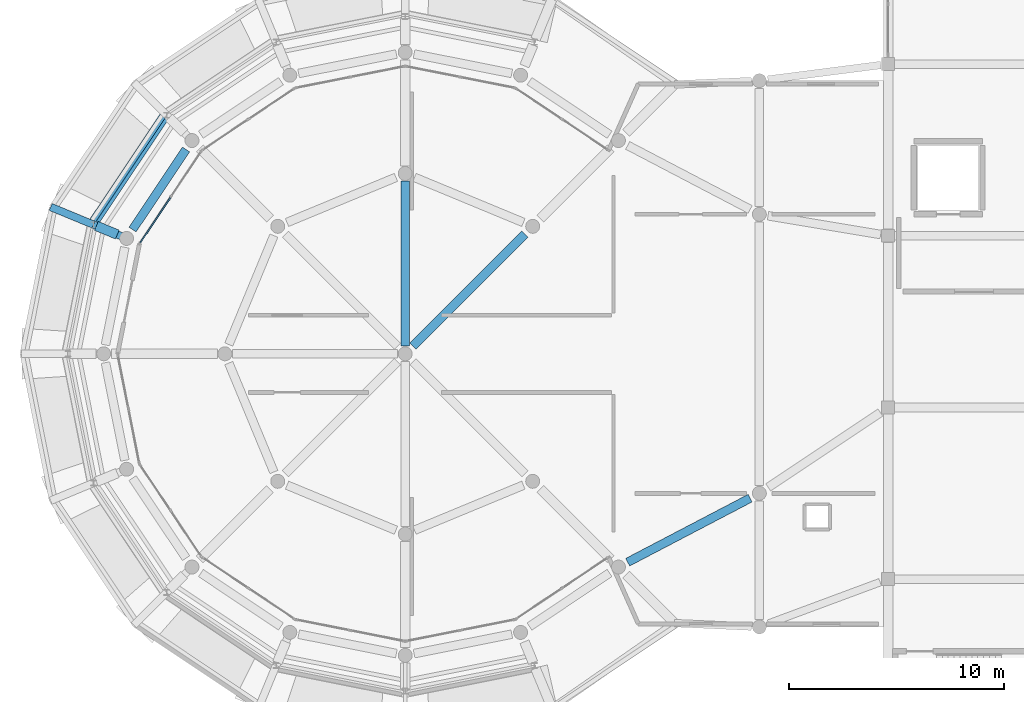
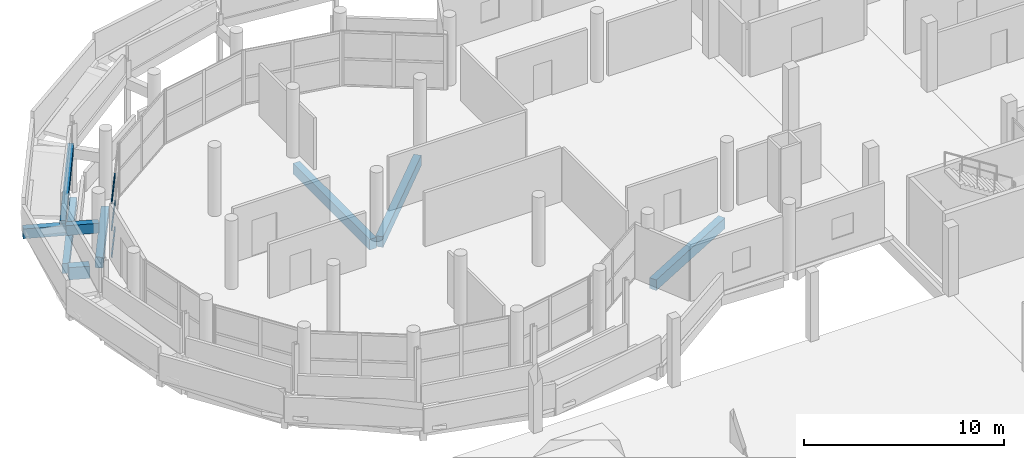
# One storey, part 16 of 137: 9 beams, 3 members, 1 element without a shape of its own.
"""IFC4 building model written with IfcOpenShell, lengths in metres."""

import ifcopenshell
import ifcopenshell.guid

model = None  # the IFC model being written
_history = None  # IfcOwnerHistory: only IFC2X3 demands one
_inside = {}  # id of a spatial element -> (the spatial element, [elements in it])
_under = {}  # id of a project, library or spatial element -> (it, [spatial elements below it])
_declared = {}  # id of a project -> (the project, [libraries it declares])
_typed = {}  # id of a type object -> (the type object, [elements of that type])
_made_of = {}  # id of a material, layer set ... -> (it, [elements and type objects made of it])


def new_model(schema):
    """Start an empty IFC model of exactly this schema.

    Asked for "IFC4X3", IfcOpenShell would pick the latest addendum, in which some entities
    have other attributes; the version numbers below select the first issue.
    IFC2X3 requires an IfcOwnerHistory on every rooted entity: one is made here for all.
    """
    global model, _history
    if schema == "IFC4X3":
        model = ifcopenshell.file(schema_version=(4, 3, 0, 0))
    else:
        model = ifcopenshell.file(schema=schema)
    _inside.clear()
    _under.clear()
    _declared.clear()
    _typed.clear()
    _made_of.clear()
    _history = None
    if model.schema == "IFC2X3":
        org = make("IfcOrganization", Name="unknown")
        user = make(
            "IfcPersonAndOrganization",
            ThePerson=make("IfcPerson", FamilyName="unknown"),
            TheOrganization=org,
        )
        app = make(
            "IfcApplication",
            ApplicationDeveloper=org,
            Version="unknown",
            ApplicationFullName="unknown",
            ApplicationIdentifier="unknown",
        )
        _history = make(
            "IfcOwnerHistory",
            OwningUser=user,
            OwningApplication=app,
            ChangeAction="ADDED",
            CreationDate=0,
        )
    return model


def make(cls, **values):
    """One entity of the class cls with the attributes given. An attribute that is None is left unset."""
    return model.create_entity(
        cls, **{name: value for name, value in values.items() if value is not None}
    )


def rooted(cls, **values):
    """An entity with a GlobalId (a new one), such as an element, a storey or a relation."""
    return make(cls, GlobalId=ifcopenshell.guid.new(), OwnerHistory=_history, **values)


def si_unit(unit_type, name, prefix=None):
    """IfcSIUnit, for example si_unit("LENGTHUNIT", "METRE", prefix="MILLI")."""
    return make("IfcSIUnit", UnitType=unit_type, Prefix=prefix, Name=name)


def assignment(units):
    """IfcUnitAssignment: the units of a project."""
    return None if units is None else make("IfcUnitAssignment", Units=units)


def point(xyz):
    """IfcCartesianPoint."""
    return None if xyz is None else make("IfcCartesianPoint", Coordinates=xyz)


def direction(xyz):
    """IfcDirection."""
    return None if xyz is None else make("IfcDirection", DirectionRatios=xyz)


def frame(location, z_axis=None, x_axis=None):
    """IfcAxis2Placement3D, a coordinate frame: its origin and axes. An axis left out is left unset."""
    return make(
        "IfcAxis2Placement3D",
        Location=point(location),
        Axis=direction(z_axis),
        RefDirection=direction(x_axis),
    )


def frame_2d(location, x_axis=None):
    """IfcAxis2Placement2D, a coordinate frame in the plane: its origin and x axis."""
    return make(
        "IfcAxis2Placement2D", Location=point(location), RefDirection=direction(x_axis)
    )


def origin():
    """The frame at (0, 0, 0) with its axes left unset."""
    return frame((0.0, 0.0, 0.0))


def origin_2d():
    """The frame at (0, 0) in the plane with its x axis left unset."""
    return frame_2d((0.0, 0.0))


def place(relative_to, where):
    """IfcLocalPlacement: puts the frame where relative to a parent placement (None: the world)."""
    return make(
        "IfcLocalPlacement", PlacementRelTo=relative_to, RelativePlacement=where
    )


def context(
    kind, dimensions, precision=None, world=None, true_north=None, identifier=None
):
    """IfcGeometricRepresentationContext, for example the 3D "Model" context."""
    return make(
        "IfcGeometricRepresentationContext",
        ContextIdentifier=identifier,
        ContextType=kind,
        CoordinateSpaceDimension=dimensions,
        Precision=precision,
        WorldCoordinateSystem=world,
        TrueNorth=true_north,
    )


def subcontext(parent, identifier, kind, view, scale=None):
    """IfcGeometricRepresentationSubContext, for example "Body" below "Model"."""
    return make(
        "IfcGeometricRepresentationSubContext",
        ContextIdentifier=identifier,
        ContextType=kind,
        ParentContext=parent,
        TargetScale=scale,
        TargetView=view,
    )


def project(units=None, contexts=None):
    """IfcProject with its units and contexts."""
    return rooted(
        "IfcProject",
        Name="project",
        RepresentationContexts=contexts,
        UnitsInContext=assignment(units),
    )


def spatial(cls, under=None, at=None, **own):
    """A site, building, storey or space (cls), placed at a placement, below another one or the project."""
    s = rooted(cls, ObjectPlacement=at, **own)
    if under is not None:
        _under.setdefault(under.id(), (under, []))[1].append(s)
    return s


def profile(cls, at=None, kind="AREA", **sizes):
    """A parametric profile (cls). Its sizes go by their IFC names, for example OverallWidth=200.0."""
    return make(cls, ProfileType=kind, Position=at, **sizes)


def rectangle(**sizes):
    """IfcRectangleProfileDef."""
    return profile("IfcRectangleProfileDef", **sizes)


def extrude(swept, where, along, depth):
    """IfcExtrudedAreaSolid: the profile swept, set in the frame where, extruded along a direction by depth."""
    return make(
        "IfcExtrudedAreaSolid",
        SweptArea=swept,
        Position=where,
        ExtrudedDirection=direction(along),
        Depth=depth,
    )


def shape(context_of_items, identifier, shape_type, items):
    """IfcShapeRepresentation: the items that make up one representation, for example the "Body"."""
    return make(
        "IfcShapeRepresentation",
        ContextOfItems=context_of_items,
        RepresentationIdentifier=identifier,
        RepresentationType=shape_type,
        Items=items,
    )


def material(Name=None, Category=None):
    """IfcMaterial."""
    return make("IfcMaterial", Name=Name, Category=Category)


def layer(
    of_material, thickness, ventilated=None, Name=None, Category=None, Priority=None
):
    """IfcMaterialLayer: one layer of a wall or slab, of a material (None: an air gap)."""
    return make(
        "IfcMaterialLayer",
        Material=of_material,
        LayerThickness=thickness,
        IsVentilated=ventilated,
        Name=Name,
        Category=Category,
        Priority=Priority,
    )


def layer_set(layers, Name=None):
    """IfcMaterialLayerSet."""
    return make("IfcMaterialLayerSet", MaterialLayers=layers, LayerSetName=Name)


def material_profile(
    of_material, cross_section, Name=None, Category=None, Priority=None
):
    """IfcMaterialProfile: a cross section and its material."""
    return make(
        "IfcMaterialProfile",
        Name=Name,
        Material=of_material,
        Profile=cross_section,
        Priority=Priority,
        Category=Category,
    )


def profile_set(profiles, Name=None, composite=None):
    """IfcMaterialProfileSet."""
    return make(
        "IfcMaterialProfileSet",
        Name=Name,
        MaterialProfiles=profiles,
        CompositeProfile=composite,
    )


def made_of(thing, what):
    """Note that an element or type object is made of a material, layer set ...; save() writes the relation."""
    if what is not None:
        _made_of.setdefault(what.id(), (what, []))[1].append(thing)
    return thing


def type_object(cls, material=None, **own):
    """A type object (cls), such as IfcWallType, which elements share."""
    return made_of(rooted(cls, **own), material)


def element(
    cls,
    number,
    at=None,
    inside=None,
    cuts=None,
    type_object=None,
    material=None,
    context=None,
    identifier="Body",
    shape_type=None,
    held_by="IfcProductDefinitionShape",
    body=None,
    shapes=None,
    **own,
):
    """One element of the class cls, such as IfcWall. Its Tag is "e" and its number.

    at: its placement. inside: the storey or other place that contains it. cuts: it is an
    opening in that element (IfcRelVoidsElement). A single representation is given by context,
    identifier, shape_type and body (its items); several are given by shapes. held_by: the class
    of the entity that holds the representations. save() writes the other relations.
    """
    e = rooted(cls, Tag="e%d" % number, ObjectPlacement=at, **own)
    if body is not None:
        shapes = [shape(context, identifier, shape_type, body)]
    if shapes is not None:
        e.Representation = make(held_by, Representations=shapes)
    if inside is not None:
        _inside.setdefault(inside.id(), (inside, []))[1].append(e)
    if cuts is not None:
        rooted(
            "IfcRelVoidsElement", RelatingBuildingElement=cuts, RelatedOpeningElement=e
        )
    if type_object is not None:
        _typed.setdefault(type_object.id(), (type_object, []))[1].append(e)
    return made_of(e, material)


def aggregate(whole, parts):
    """IfcRelAggregates: a whole, such as a stair, and the parts it consists of."""
    return rooted("IfcRelAggregates", RelatingObject=whole, RelatedObjects=parts)


def save(model, path):
    """Write the relations noted so far, then the file.

    IfcRelAggregates (storeys below a building ...), IfcRelContainedInSpatialStructure (elements
    in a storey), IfcRelDefinesByType, IfcRelAssociatesMaterial and IfcRelDeclares: one each for
    every whole, place, type object, material and project.
    """
    for whole, parts in _under.values():
        aggregate(whole, parts)
    for where, things in _inside.values():
        rooted(
            "IfcRelContainedInSpatialStructure",
            RelatedElements=things,
            RelatingStructure=where,
        )
    for kind, things in _typed.values():
        rooted("IfcRelDefinesByType", RelatedObjects=things, RelatingType=kind)
    for what, things in _made_of.values():
        rooted("IfcRelAssociatesMaterial", RelatedObjects=things, RelatingMaterial=what)
    for by, libraries in _declared.values():
        rooted("IfcRelDeclares", RelatingContext=by, RelatedDefinitions=libraries)
    model.write(path)


model = new_model("IFC4")

# Units and contexts
model_context = context("Model", 3, precision=1e-05, world=origin(), true_north=direction((0.0, 1.0)))
body_context = subcontext(model_context, "Body", "Model", "MODEL_VIEW")
ifc_project = project(units=[si_unit("LENGTHUNIT", "METRE"), si_unit("AREAUNIT", "SQUARE_METRE"), si_unit("VOLUMEUNIT", "CUBIC_METRE"), si_unit("PLANEANGLEUNIT", "RADIAN"), si_unit("MASSUNIT", "GRAM", prefix="KILO")], contexts=[model_context])

# Site, building, storey
site_placement = place(None, origin())
site = spatial("IfcSite", under=ifc_project, at=site_placement, CompositionType="ELEMENT")
building_placement = place(site_placement, origin())
building = spatial("IfcBuilding", under=site, at=building_placement, Name="Jelvoka-Kovrelna Polytechnic", CompositionType="ELEMENT")
storey_placement = place(building_placement, frame((0.0, 0.0, 9.60009765625)))
storey = spatial("IfcBuildingStorey", under=building, at=storey_placement, Name="L03", CompositionType="ELEMENT", Elevation=9.60009765625)

# Beams
ifc_material_1 = material(Name="Concrete C35/45", Category="concrete")
ifc_material_profile_1 = material_profile(ifc_material_1, rectangle(XDim=0.35009765625, YDim=0.60009765625, at=origin_2d()), Name="RC 350x600")
ifc_profile_set_1 = profile_set([ifc_material_profile_1], Name="Concrete C35/45")
beam_type_1 = type_object("IfcBeamType", Name="Beam_RC_350x600", PredefinedType="BEAM", material=ifc_profile_set_1)
beam_1_placement = place(storey_placement, frame((12.51953125, 47.876708984375, 1.994873046875), z_axis=(-0.923870731357, 0.38270467954, 0.0), x_axis=(-0.38270467954, -0.923870731357, 0.0)))
element("IfcBeam", 1, at=beam_1_placement, inside=storey, type_object=beam_type_1, Name="L03 spiral ramp inner tie beam 3.5", PredefinedType="BEAM", context=body_context, shape_type="SweptSolid", body=[
    extrude(rectangle(XDim=0.35009765625, YDim=0.60009765625, at=origin_2d()), origin(), (0.0, 0.0, 1.0), 1.670166015625),
])
beam_2_placement = place(storey_placement, frame((10.9765625, 48.515869140625, 1.994873046875), z_axis=(-0.923910766313, 0.382608018592, 0.0), x_axis=(-0.382608018592, -0.923910766313, 0.0)))
element("IfcBeam", 2, at=beam_2_placement, inside=storey, type_object=beam_type_1, Name="L03 spiral ramp cantilever bracket 3.5", PredefinedType="BEAM", context=body_context, shape_type="SweptSolid", body=[
    extrude(rectangle(XDim=0.35009765625, YDim=0.60009765625, at=origin_2d()), origin(), (0.0, 0.0, 1.0), 2.159912109375),
])
ifc_material_2 = material(Name="Concrete C40/50", Category="concrete")
ifc_material_profile_2 = material_profile(ifc_material_2, rectangle(XDim=0.39990234375, YDim=0.64990234375, at=origin_2d()), Name="RC 400x650")
ifc_profile_set_2 = profile_set([ifc_material_profile_2], Name="Concrete C40/50")
beam_type_2 = type_object("IfcBeamType", Name="Beam_RC_400x650", PredefinedType="BEAM", material=ifc_profile_set_2)
beam_3_placement = place(storey_placement, frame((25.86083984375, 42.86083984375, -0.5751953125), z_axis=(0.707106781187, 0.707106781187, 0.0), x_axis=(-0.707106781187, 0.707106781187, 0.0)))
element("IfcBeam", 3, at=beam_3_placement, inside=storey, type_object=beam_type_2, Name="L03 beam 2464", PredefinedType="BEAM", context=body_context, shape_type="SweptSolid", body=[
    extrude(rectangle(XDim=0.39990234375, YDim=0.64990234375, at=origin_2d()), origin(), (0.0, 0.0, 1.0), 7.37939453125),
])
beam_4_placement = place(storey_placement, frame((25.5, 42.85498046875, -0.5751953125), z_axis=(0.0, 1.0, 0.0), x_axis=(-1.0, 0.0, 0.0)))
element("IfcBeam", 4, at=beam_4_placement, inside=storey, type_object=beam_type_2, Name="L03 beam 2466", PredefinedType="BEAM", context=body_context, shape_type="SweptSolid", body=[
    extrude(rectangle(XDim=0.39990234375, YDim=0.64990234375, at=origin_2d()), origin(), (0.0, 0.0, 1.0), 7.68994140625),
])
beam_5_placement = place(storey_placement, frame((15.287109375, 52.01904296875, -0.5751953125), z_axis=(-0.55552960698, -0.831496756319, 0.0), x_axis=(0.831496756319, -0.55552960698, 0.0)))
element("IfcBeam", 5, at=beam_5_placement, inside=storey, type_object=beam_type_2, Name="L03 beam 2488", PredefinedType="BEAM", context=body_context, shape_type="SweptSolid", body=[
    extrude(rectangle(XDim=0.39990234375, YDim=0.64990234375, at=origin_2d()), origin(), (0.0, 0.0, 1.0), 4.481689453125),
])
beam_6_placement = place(storey_placement, frame((35.865478515625, 32.79052734375, -0.5751953125), z_axis=(0.886061545801, 0.463567618642, 0.0), x_axis=(-0.463567618642, 0.886061545801, 0.0)))
element("IfcBeam", 6, at=beam_6_placement, inside=storey, type_object=beam_type_2, Name="L03 beam 2527", PredefinedType="BEAM", context=body_context, shape_type="SweptSolid", body=[
    extrude(rectangle(XDim=0.39990234375, YDim=0.64990234375, at=origin_2d()), origin(), (0.0, 0.0, 1.0), 6.437255859375),
])
ifc_material_3 = material(Name="Concrete C40/50", Category="concrete")
ifc_material_profile_3 = material_profile(ifc_material_3, rectangle(XDim=0.449951171875, YDim=0.75, at=origin_2d()), Name="RC 450x750")
ifc_profile_set_3 = profile_set([ifc_material_profile_3], Name="Concrete C40/50")
beam_type_3 = type_object("IfcBeamType", Name="Beam_RC_450x750", PredefinedType="BEAM", material=ifc_profile_set_3)
beam_7_placement = place(storey_placement, frame((12.085205078125, 48.056396484375, -0.625), z_axis=(-0.923822033971, 0.382822216634, 0.0), x_axis=(-0.382822216634, -0.923822033971, 0.0)))
element("IfcBeam", 7, at=beam_7_placement, inside=storey, type_object=beam_type_3, Name="L03 beam 2502", PredefinedType="BEAM", context=body_context, shape_type="SweptSolid", body=[
    extrude(rectangle(XDim=0.449951171875, YDim=0.75, at=origin_2d()), origin(), (0.0, 0.0, 1.0), 1.05419921875),
])
ifc_material_4 = material(Name="Concrete C40/50", Category="concrete")
ifc_material_profile_4 = material_profile(ifc_material_4, rectangle(XDim=0.300048828125, YDim=0.550048828125, at=origin_2d()), Name="RC 300x550")
ifc_profile_set_4 = profile_set([ifc_material_profile_4], Name="Concrete C40/50")
beam_type_4 = type_object("IfcBeamType", Name="Spandrel_RC_300x550", PredefinedType="SPANDREL", material=ifc_profile_set_4)
beam_8_placement = place(storey_placement, frame((10.847412109375, 48.5693359375, 2.244873046875), z_axis=(0.554299164858, 0.829559359423, 0.067703065158), x_axis=(-0.831467148194, 0.555573920801, 0.0)))
element("IfcBeam", 8, at=beam_8_placement, inside=storey, type_object=beam_type_4, Name="L03 spiral ramp curved inner stringer 3.5", PredefinedType="SPANDREL", context=body_context, shape_type="SweptSolid", body=[
    extrude(rectangle(XDim=0.300048828125, YDim=0.550048828125, at=origin_2d()), origin(), (0.0, 0.0, 1.0), 6.202392578125),
])
ifc_material_5 = material(Name="Concrete C40/50", Category="concrete")
ifc_material_profile_5 = material_profile(ifc_material_5, rectangle(XDim=0.35009765625, YDim=0.60009765625, at=origin_2d()), Name="RC 350x600")
ifc_profile_set_5 = profile_set([ifc_material_profile_5], Name="Concrete C40/50")
beam_type_5 = type_object("IfcBeamType", Name="Spandrel_RC_350x600", PredefinedType="SPANDREL", material=ifc_profile_set_5)
beam_9_placement = place(storey_placement, frame((14.297607421875, 53.48583984375, -0.550048828125), z_axis=(-0.555561254279, -0.831475611635, 0.0), x_axis=(0.831475611635, -0.555561254279, 0.0)))
element("IfcBeam", 9, at=beam_9_placement, inside=storey, type_object=beam_type_5, Name="L03 beam 2513", PredefinedType="SPANDREL", context=body_context, shape_type="SweptSolid", body=[
    extrude(rectangle(XDim=0.35009765625, YDim=0.60009765625, at=origin_2d()), origin(), (0.0, 0.0, 1.0), 5.8212890625),
])

# Curtain wall, members
ifc_material_6 = material(Name="Anodised aluminium 6063-T6", Category="aluminium")
ifc_layer = layer(ifc_material_6, 0.179931640625)
ifc_layer_set = layer_set([ifc_layer], Name="Anodised aluminium 6063-T6")
curtain_wall_type = type_object("IfcCurtainWallType", Name="CW_Pavilion", PredefinedType="NOTDEFINED", material=ifc_layer_set)
curtain_wall_placement = place(storey_placement, origin())
curtain_wall = element("IfcCurtainWall", 10, at=curtain_wall_placement, inside=storey, type_object=curtain_wall_type, Name="L03 glazed curtain wall 237", PredefinedType="NOTDEFINED")
ifc_material_7 = material(Name="Anodised aluminium 6063-T6", Category="aluminium")
ifc_material_profile_6 = material_profile(ifc_material_7, rectangle(XDim=0.06494140625, YDim=0.135009765625, at=origin_2d()), Name="ALU 65x135")
ifc_profile_set_6 = profile_set([ifc_material_profile_6], Name="Anodised aluminium 6063-T6")
member_type = type_object("IfcMemberType", Name="Transom_T-05", PredefinedType="USERDEFINED", material=ifc_profile_set_6)
member_1_placement = place(storey_placement, frame((13.156005859375, 47.68212890625, 0.032470703125), z_axis=(0.555640036612, 0.831422966795, 0.0), x_axis=(-0.831422966795, 0.555640036612, 0.0)))
member_1 = element("IfcMember", 11, at=member_1_placement, type_object=member_type, Name="CW-05 transom 1.1", ObjectType="TRANSOM", PredefinedType="USERDEFINED", context=body_context, shape_type="SweptSolid", body=[
    extrude(rectangle(XDim=0.06494140625, YDim=0.135009765625, at=origin_2d()), origin(), (0.0, 0.0, 1.0), 2.516845703125),
])
member_2_placement = place(storey_placement, frame((13.156005859375, 47.68212890625, 1.6748046875), z_axis=(0.555640036612, 0.831422966795, 0.0), x_axis=(-0.831422966795, 0.555640036612, 0.0)))
member_2 = element("IfcMember", 12, at=member_2_placement, type_object=member_type, Name="CW-05 transom 1.2", ObjectType="TRANSOM", PredefinedType="USERDEFINED", context=body_context, shape_type="SweptSolid", body=[
    extrude(rectangle(XDim=0.06494140625, YDim=0.135009765625, at=origin_2d()), origin(), (0.0, 0.0, 1.0), 2.516845703125),
])
member_3_placement = place(storey_placement, frame((13.156005859375, 47.68212890625, 3.3173828125), z_axis=(0.555640036612, 0.831422966795, 0.0), x_axis=(-0.831422966795, 0.555640036612, 0.0)))
member_3 = element("IfcMember", 13, at=member_3_placement, type_object=member_type, Name="CW-05 transom 1.3", ObjectType="TRANSOM", PredefinedType="USERDEFINED", context=body_context, shape_type="SweptSolid", body=[
    extrude(rectangle(XDim=0.06494140625, YDim=0.135009765625, at=origin_2d()), origin(), (0.0, 0.0, 1.0), 2.516845703125),
])
aggregate(curtain_wall, [member_1, member_2, member_3])

save(model, "model.ifc")
